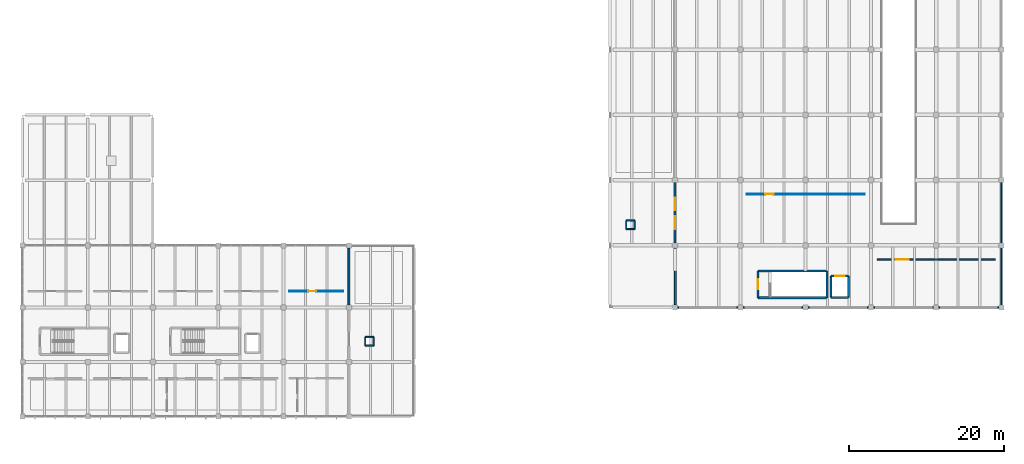
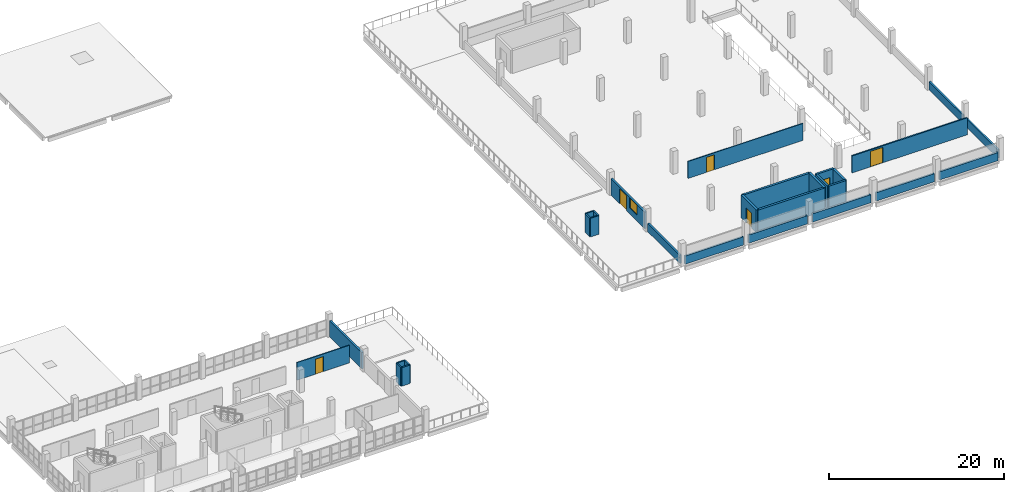
# One storey, part 27 of 33: 29 walls, 6 doors, 1 window, 7 openings.
"""IFC4 building model written with IfcOpenShell, lengths in metres."""

from ifc_helpers import new_model, si_unit, direction, frame, frame_2d, origin, place, context, subcontext, project, spatial, rectangle, extrude, material, layer, layer_set, type_object, element, fill, save


model = new_model("IFC4")

# Units and contexts
model_context = context("Model", 3, precision=1e-05, world=origin(), true_north=direction((0.0, 1.0)))
body_context = subcontext(model_context, "Body", "Model", "MODEL_VIEW")
ifc_project = project(units=[si_unit("LENGTHUNIT", "METRE"), si_unit("AREAUNIT", "SQUARE_METRE"), si_unit("VOLUMEUNIT", "CUBIC_METRE"), si_unit("PLANEANGLEUNIT", "RADIAN"), si_unit("MASSUNIT", "GRAM", prefix="KILO"), si_unit("THERMODYNAMICTEMPERATUREUNIT", "KELVIN"), si_unit("POWERUNIT", "WATT")], contexts=[model_context])

# Site, building, storey
site_placement = place(None, origin())
site = spatial("IfcSite", under=ifc_project, at=site_placement, CompositionType="ELEMENT")
building_placement = place(site_placement, origin())
building = spatial("IfcBuilding", under=site, at=building_placement, Name="Mavoryth Pier Ferry Terminal", CompositionType="ELEMENT")
storey_placement = place(building_placement, frame((0.0, 0.0, 13.1201171875)))
storey = spatial("IfcBuildingStorey", under=building, at=storey_placement, Name="L03", CompositionType="ELEMENT", Elevation=13.1201171875)

# Walls
ifc_material_1 = material(Name="Concrete C35/45", Category="concrete")
ifc_layer_1 = layer(ifc_material_1, 0.260009765625, Name="Concrete C35/45", Category="concrete")
ifc_layer_set_1 = layer_set([ifc_layer_1], Name="Concrete C35/45 - CoreWall-LiftShaft-RC260")
wall_type_1 = type_object("IfcWallType", Name="CoreWall-LiftShaft-RC260", PredefinedType="SHEAR", material=ifc_layer_set_1)
wall_1_placement = place(storey_placement, frame((146.070068359375, 15.320068359375, 0.0), z_axis=(0.0, 0.0, 1.0), x_axis=(1.0, 0.0, 0.0)))
element("IfcWall", 1, at=wall_1_placement, inside=storey, type_object=wall_type_1, Name="Interior Wall IW-L03-0185", PredefinedType="SHEAR", context=body_context, shape_type="SweptSolid", body=[
    extrude(rectangle(XDim=2.260009765625, YDim=0.260009765625, at=frame_2d((1.1298828125, 0.0))), origin(), (0.0, 0.0, 1.0), 3.199951171875),
])
for number, where, z_axis, x_axis, name in (
    (2, (148.330078125, 15.320068359375, 0.0), (0.0, 0.0, 1.0), (0.0, 1.0, 0.0), "Interior Wall IW-L03-0186"),
    (3, (146.070068359375, 18.080078125, 0.0), (0.0, 0.0, 1.0), (0.0, -1.0, 0.0), "Interior Wall IW-L03-0187"),
):
    element("IfcWall", number, at=place(storey_placement, frame(where, z_axis=z_axis, x_axis=x_axis)), inside=storey, type_object=wall_type_1, Name=name, PredefinedType="SHEAR", context=body_context, shape_type="SweptSolid", body=[
        extrude(rectangle(XDim=2.760009765625, YDim=0.260009765625, at=frame_2d((1.3798828125, 0.0))), origin(), (0.0, 0.0, 1.0), 3.199951171875),
    ])

# Wall, opening, door
wall_2_placement = place(storey_placement, frame((146.070068359375, 18.080078125, 0.0), z_axis=(0.0, 0.0, 1.0), x_axis=(1.0, 0.0, 0.0)))
wall_2 = element("IfcWall", 4, at=wall_2_placement, inside=storey, type_object=wall_type_1, Name="Interior Wall IW-L03-0188", PredefinedType="SHEAR", context=body_context, shape_type="SweptSolid", body=[
    extrude(rectangle(XDim=2.260009765625, YDim=0.260009765625, at=frame_2d((1.1298828125, 0.0))), origin(), (0.0, 0.0, 1.0), 3.199951171875),
])
opening_1_placement = place(wall_2_placement, frame((0.510009765625, 0.0, 0.0)))
opening_1 = element("IfcOpeningElement", 5, at=opening_1_placement, cuts=wall_2, Name="Opening LD01", PredefinedType="OPENING", context=body_context, shape_type="SweptSolid", body=[
    extrude(rectangle(XDim=1.239990234375, YDim=2.139892578125, at=frame_2d((0.6201171875, 1.06982421875))), frame((0.0, 0.139892578125, 0.0), z_axis=(0.0, -1.0, 0.0), x_axis=(1.0, 0.0, 0.0)), (0.0, 0.0, 1.0), 0.280029296875),
])
ifc_material_2 = material(Name="Brushed Stainless Steel Lift Landing Door", Category="steel")
door_type_1 = type_object("IfcDoorType", Name="Door-LiftLanding-1240x2140", OperationType="NOTDEFINED", PredefinedType="DOOR", material=ifc_material_2)
door_1_placement = place(opening_1_placement, origin())
door_1 = element("IfcDoor", 6, at=door_1_placement, inside=storey, type_object=door_type_1, Name="Lift LF09 Landing Door L03", OperationType="DOUBLE_DOOR_SLIDING", OverallHeight=2.139892578125, OverallWidth=1.239990234375, PredefinedType="DOOR", context=body_context, shape_type="SweptSolid", body=[
    extrude(rectangle(XDim=1.239990234375, YDim=2.139892578125, at=frame_2d((0.6201171875, 1.06982421875))), frame((0.0, 0.02490234375, 0.0), z_axis=(0.0, -1.0, 0.0), x_axis=(1.0, 0.0, 0.0)), (0.0, 0.0, 1.0), 0.050048828125),
])
fill(opening_1, door_1)

# Walls
ifc_material_3 = material(Name="Concrete C40/50", Category="concrete")
ifc_layer_2 = layer(ifc_material_3, 0.280029296875, Name="Concrete C40/50", Category="concrete")
ifc_layer_set_2 = layer_set([ifc_layer_2], Name="Concrete C40/50 - CoreWall-Shear-RC280")
wall_type_2 = type_object("IfcWallType", Name="CoreWall-Shear-RC280", PredefinedType="SHEAR", material=ifc_layer_set_2)
for number, where, z_axis, x_axis, name in (
    (7, (136.659912109375, 15.260009765625, 0.0), (0.0, 0.0, 1.0), (1.0, 0.0, 0.0), "Interior Wall IW-L03-0169"),
    (8, (136.659912109375, 18.68994140625, 0.0), (0.0, 0.0, 1.0), (1.0, 0.0, 0.0), "Interior Wall IW-L03-0170"),
):
    element("IfcWall", number, at=place(storey_placement, frame(where, z_axis=z_axis, x_axis=x_axis)), inside=storey, type_object=wall_type_2, Name=name, PredefinedType="SHEAR", context=body_context, shape_type="SweptSolid", body=[
        extrude(rectangle(XDim=8.880126953125, YDim=0.280029296875, at=frame_2d((4.43994140625, 0.0))), origin(), (0.0, 0.0, 1.0), 3.199951171875),
    ])

# Wall, opening, door
wall_3_placement = place(storey_placement, frame((136.659912109375, 18.68994140625, 0.0), z_axis=(0.0, 0.0, 1.0), x_axis=(0.0, -1.0, 0.0)))
wall_3 = element("IfcWall", 9, at=wall_3_placement, inside=storey, type_object=wall_type_2, Name="Interior Wall IW-L03-0171", PredefinedType="SHEAR", context=body_context, shape_type="SweptSolid", body=[
    extrude(rectangle(XDim=3.429931640625, YDim=0.280029296875, at=frame_2d((1.71484375, 0.0))), origin(), (0.0, 0.0, 1.0), 3.199951171875),
])
opening_2_placement = place(wall_3_placement, frame((1.074951171875, 0.0, 0.0)))
opening_2 = element("IfcOpeningElement", 10, at=opening_2_placement, cuts=wall_3, Name="Opening ID03-043", PredefinedType="OPENING", context=body_context, shape_type="SweptSolid", body=[
    extrude(rectangle(XDim=1.280029296875, YDim=2.10009765625, at=frame_2d((0.64013671875, 1.050048828125))), frame((0.0, 0.14990234375, 0.0), z_axis=(0.0, -1.0, 0.0), x_axis=(1.0, 0.0, 0.0)), (0.0, 0.0, 1.0), 0.300048828125),
])
ifc_material_4 = material(Name="Painted Galvanised Steel Fire Door", Category="steel")
door_type_2 = type_object("IfcDoorType", Name="Door-StairFire-1280x2100", OperationType="NOTDEFINED", PredefinedType="DOOR", material=ifc_material_4)
door_2_placement = place(opening_2_placement, origin())
door_2 = element("IfcDoor", 11, at=door_2_placement, inside=storey, type_object=door_type_2, Name="Core C4B Stair Exit Door L03", OperationType="SINGLE_SWING_RIGHT", OverallHeight=2.10009765625, OverallWidth=1.280029296875, PredefinedType="DOOR", context=body_context, shape_type="SweptSolid", body=[
    extrude(rectangle(XDim=1.280029296875, YDim=2.10009765625, at=frame_2d((0.64013671875, 1.050048828125))), frame((0.0, 0.02490234375, 0.0), z_axis=(0.0, -1.0, 0.0), x_axis=(1.0, 0.0, 0.0)), (0.0, 0.0, 1.0), 0.050048828125),
])
fill(opening_2, door_2)

# Walls
wall_4_placement = place(storey_placement, frame((145.5400390625, 15.260009765625, 0.0), z_axis=(0.0, 0.0, 1.0), x_axis=(0.0, 1.0, 0.0)))
element("IfcWall", 12, at=wall_4_placement, inside=storey, type_object=wall_type_2, Name="Interior Wall IW-L03-0172", PredefinedType="SHEAR", context=body_context, shape_type="SweptSolid", body=[
    extrude(rectangle(XDim=3.429931640625, YDim=0.280029296875, at=frame_2d((1.71484375, 0.0))), origin(), (0.0, 0.0, 1.0), 3.199951171875),
])
ifc_layer_3 = layer(ifc_material_3, 0.22998046875, Name="Concrete C40/50", Category="concrete")
ifc_layer_set_3 = layer_set([ifc_layer_3], Name="Concrete C40/50 - ExtWall-CrashUpstand-230")
wall_type_3 = type_object("IfcWallType", Name="ExtWall-CrashUpstand-230", PredefinedType="PARAPET", material=ifc_layer_set_3)
for number, where, z_axis, x_axis, name in (
    (13, (126.324951171875, 14.0, 0.0), (0.0, 0.0, 1.0), (1.0, 0.0, 0.0), "Exterior Wall EW-L03-118"),
    (14, (134.72509765625, 14.0, 0.0), (0.0, 0.0, 1.0), (1.0, 0.0, 0.0), "Exterior Wall EW-L03-120"),
    (15, (143.125, 14.0, 0.0), (0.0, 0.0, 1.0), (1.0, 0.0, 0.0), "Exterior Wall EW-L03-122"),
    (16, (151.52490234375, 14.0, 0.0), (0.0, 0.0, 1.0), (1.0, 0.0, 0.0), "Exterior Wall EW-L03-124"),
    (17, (159.925048828125, 14.0, 0.0), (0.0, 0.0, 1.0), (1.0, 0.0, 0.0), "Exterior Wall EW-L03-126"),
):
    element("IfcWall", number, at=place(storey_placement, frame(where, z_axis=z_axis, x_axis=x_axis)), inside=storey, type_object=wall_type_3, Name=name, PredefinedType="PARAPET", context=body_context, shape_type="SweptSolid", body=[
        extrude(rectangle(XDim=7.75, YDim=0.22998046875, at=frame_2d((3.875, 0.0))), origin(), (0.0, 0.0, 1.0), 1.14990234375),
    ])
for number, where, z_axis, x_axis, name in (
    (18, (126.0, 14.324951171875, 0.0), (0.0, 0.0, 1.0), (0.0, 1.0, 0.0), "Exterior Wall EW-L03-128"),
    (19, (168.0, 14.324951171875, 0.0), (0.0, 0.0, 1.0), (0.0, 1.0, 0.0), "Exterior Wall EW-L03-129"),
):
    element("IfcWall", number, at=place(storey_placement, frame(where, z_axis=z_axis, x_axis=x_axis)), inside=storey, type_object=wall_type_3, Name=name, PredefinedType="PARAPET", context=body_context, shape_type="SweptSolid", body=[
        extrude(rectangle(XDim=7.35009765625, YDim=0.22998046875, at=frame_2d((3.675048828125, 0.0))), origin(), (0.0, 0.0, 1.0), 1.14990234375),
    ])
wall_5_placement = place(storey_placement, frame((168.0, 22.324951171875, 0.0), z_axis=(0.0, 0.0, 1.0), x_axis=(0.0, 1.0, 0.0)))
element("IfcWall", 20, at=wall_5_placement, inside=storey, type_object=wall_type_3, Name="Exterior Wall EW-L03-130", PredefinedType="PARAPET", context=body_context, shape_type="SweptSolid", body=[
    extrude(rectangle(XDim=7.75, YDim=0.22998046875, at=frame_2d((3.875, 0.0))), origin(), (0.0, 0.0, 1.0), 1.14990234375),
])

# Wall, openings, door, window
ifc_material_5 = material(Name="Insulated Pentelic Limestone-Faced Masonry", Category="masonry")
ifc_layer_4 = layer(ifc_material_5, 0.25, Name="Insulated Pentelic Limestone-Faced Masonry", Category="masonry")
ifc_layer_set_4 = layer_set([ifc_layer_4], Name="Insulated Pentelic Limestone-Faced Masonry - ExtWall-Facade-Masonry250")
wall_type_4 = type_object("IfcWallType", Name="ExtWall-Facade-Masonry250", PredefinedType="SOLIDWALL", material=ifc_layer_set_4)
wall_6_placement = place(storey_placement, frame((126.0, 30.074951171875, 0.0), z_axis=(0.0, 0.0, 1.0), x_axis=(0.0, -1.0, 0.0)))
wall_6 = element("IfcWall", 21, at=wall_6_placement, inside=storey, type_object=wall_type_4, Name="Exterior Wall EW-L03-064", PredefinedType="SOLIDWALL", context=body_context, shape_type="SweptSolid", body=[
    extrude(rectangle(XDim=7.75, YDim=0.25, at=frame_2d((3.875, 0.0))), origin(), (0.0, 0.0, 1.0), 2.324951171875),
])
opening_3_placement = place(wall_6_placement, frame((1.965087890625, 0.0, 0.0)))
opening_3 = element("IfcOpeningElement", 22, at=opening_3_placement, cuts=wall_6, Name="Opening ED07-028", PredefinedType="OPENING", context=body_context, shape_type="SweptSolid", body=[
    extrude(rectangle(XDim=1.60009765625, YDim=2.10009765625, at=frame_2d((0.800048828125, 1.050048828125))), frame((0.0, 0.135009765625, 0.0), z_axis=(0.0, -1.0, 0.0), x_axis=(1.0, 0.0, 0.0)), (0.0, 0.0, 1.0), 0.27001953125),
])
opening_4_placement = place(wall_6_placement, frame((4.31494140625, 0.0, 0.85009765625)))
opening_4 = element("IfcOpeningElement", 23, at=opening_4_placement, cuts=wall_6, Name="Opening WN18", PredefinedType="OPENING", context=body_context, shape_type="SweptSolid", body=[
    extrude(rectangle(XDim=1.64990234375, YDim=1.39990234375, at=frame_2d((0.824951171875, 0.699951171875))), frame((0.0, 0.135009765625, 0.0), z_axis=(0.0, -1.0, 0.0), x_axis=(1.0, 0.0, 0.0)), (0.0, 0.0, 1.0), 0.27001953125),
])
ifc_material_6 = material(Name="Thermally Broken Anodised Aluminium and Laminated Glass", Category="aluminium")
door_type_3 = type_object("IfcDoorType", Name="ExtDoor-Terrace-1600x2100", OperationType="NOTDEFINED", PredefinedType="DOOR", material=ifc_material_6)
door_3_placement = place(opening_3_placement, origin())
door_3 = element("IfcDoor", 24, at=door_3_placement, inside=storey, type_object=door_type_3, Name="Exterior Pedestrian Exit Door ED07-028", OperationType="SINGLE_SWING_RIGHT", OverallHeight=2.10009765625, OverallWidth=1.60009765625, PredefinedType="DOOR", context=body_context, shape_type="SweptSolid", body=[
    extrude(rectangle(XDim=1.60009765625, YDim=2.10009765625, at=frame_2d((0.800048828125, 1.050048828125))), frame((0.0, 0.02490234375, 0.0), z_axis=(0.0, -1.0, 0.0), x_axis=(1.0, 0.0, 0.0)), (0.0, 0.0, 1.0), 0.050048828125),
])
fill(opening_3, door_3)
ifc_material_7 = material(Name="Thermally Broken Aluminium and Low-E Double Glazing", Category="aluminium")
window_type = type_object("IfcWindowType", Name="Win-Drivers-1650x1400", PartitioningType="DOUBLE_PANEL_VERTICAL", PredefinedType="WINDOW", material=ifc_material_7)
window_placement = place(opening_4_placement, origin())
window = element("IfcWindow", 25, at=window_placement, inside=storey, type_object=window_type, Name="Exterior Window 48", OverallHeight=1.39990234375, OverallWidth=1.64990234375, PartitioningType="DOUBLE_PANEL_VERTICAL", PredefinedType="WINDOW", context=body_context, shape_type="SweptSolid", body=[
    extrude(rectangle(XDim=1.64990234375, YDim=1.39990234375, at=frame_2d((0.824951171875, 0.699951171875))), frame((0.0, 0.030029296875, 0.0), z_axis=(0.0, -1.0, 0.0), x_axis=(1.0, 0.0, 0.0)), (0.0, 0.0, 1.0), 0.06005859375),
])
fill(opening_4, window)

# Walls
wall_7_placement = place(storey_placement, frame((84.0, 14.324951171875, 0.0), z_axis=(0.0, 0.0, 1.0), x_axis=(0.0, 1.0, 0.0)))
element("IfcWall", 26, at=wall_7_placement, inside=storey, type_object=wall_type_4, Name="Exterior Wall EW-L03-177", PredefinedType="SOLIDWALL", context=body_context, shape_type="SweptSolid", body=[
    extrude(rectangle(XDim=7.35009765625, YDim=0.25, at=frame_2d((3.675048828125, 0.0))), origin(), (0.0, 0.0, 1.0), 2.27490234375),
])
ifc_material_8 = material(Name="Autoclaved Aerated Concrete Blockwork", Category="masonry")
ifc_layer_5 = layer(ifc_material_8, 0.179931640625, Name="Autoclaved Aerated Concrete Blockwork", Category="masonry")
ifc_layer_set_5 = layer_set([ifc_layer_5], Name="Autoclaved Aerated Concrete Blockwork - IntWall-PlantRated-180")
wall_type_5 = type_object("IfcWallType", Name="IntWall-PlantRated-180", PredefinedType="SOLIDWALL", material=ifc_layer_set_5)
wall_8_placement = place(storey_placement, frame((119.7099609375, 24.110107421875, 0.0), z_axis=(0.0, 0.0, 1.0), x_axis=(1.0, 0.0, 0.0)))
element("IfcWall", 27, at=wall_8_placement, inside=storey, type_object=wall_type_5, Name="Interior Wall IW-L03-0397", PredefinedType="SOLIDWALL", context=body_context, shape_type="SweptSolid", body=[
    extrude(rectangle(XDim=1.080078125, YDim=0.179931640625, at=frame_2d((0.5400390625, 0.0))), origin(), (0.0, 0.0, 1.0), 2.599853515625),
])
wall_9_placement = place(storey_placement, frame((120.7900390625, 24.110107421875, 0.0), z_axis=(0.0, 0.0, 1.0), x_axis=(0.0, 1.0, 0.0)))
element("IfcWall", 28, at=wall_9_placement, inside=storey, type_object=wall_type_5, Name="Interior Wall IW-L03-0398", PredefinedType="SOLIDWALL", context=body_context, shape_type="SweptSolid", body=[
    extrude(rectangle(XDim=1.079833984375, YDim=0.179931640625, at=frame_2d((0.5400390625, 0.0))), origin(), (0.0, 0.0, 1.0), 2.599853515625),
])
wall_10_placement = place(storey_placement, frame((120.7900390625, 25.18994140625, 0.0), z_axis=(0.0, 0.0, 1.0), x_axis=(-1.0, 0.0, 0.0)))
element("IfcWall", 29, at=wall_10_placement, inside=storey, type_object=wall_type_5, Name="Interior Wall IW-L03-0399", PredefinedType="SOLIDWALL", context=body_context, shape_type="SweptSolid", body=[
    extrude(rectangle(XDim=1.080078125, YDim=0.179931640625, at=frame_2d((0.5400390625, 0.0))), origin(), (0.0, 0.0, 1.0), 2.599853515625),
])
for number, where, z_axis, x_axis, name in (
    (30, (119.7099609375, 25.18994140625, 0.0), (0.0, 0.0, 1.0), (0.0, -1.0, 0.0), "Interior Wall IW-L03-0400"),
    (31, (86.110107421875, 9.110107421875, 0.0), (0.0, 0.0, 1.0), (1.0, 0.0, 0.0), "Interior Wall IW-L03-0405"),
    (32, (87.18994140625, 9.110107421875, 0.0), (0.0, 0.0, 1.0), (0.0, 1.0, 0.0), "Interior Wall IW-L03-0406"),
    (33, (87.18994140625, 10.18994140625, 0.0), (0.0, 0.0, 1.0), (-1.0, 0.0, 0.0), "Interior Wall IW-L03-0407"),
    (34, (86.110107421875, 10.18994140625, 0.0), (0.0, 0.0, 1.0), (0.0, -1.0, 0.0), "Interior Wall IW-L03-0408"),
):
    element("IfcWall", number, at=place(storey_placement, frame(where, z_axis=z_axis, x_axis=x_axis)), inside=storey, type_object=wall_type_5, Name=name, PredefinedType="SOLIDWALL", context=body_context, shape_type="SweptSolid", body=[
        extrude(rectangle(XDim=1.079833984375, YDim=0.179931640625, at=frame_2d((0.5400390625, 0.0))), origin(), (0.0, 0.0, 1.0), 2.599853515625),
    ])

# Wall, opening, door
wall_11_placement = place(storey_placement, frame((152.0, 20.199951171875, 0.0), z_axis=(0.0, 0.0, 1.0), x_axis=(1.0, 0.0, 0.0)))
wall_11 = element("IfcWall", 35, at=wall_11_placement, inside=storey, type_object=wall_type_5, Name="Interior Wall IW-L03-0437", PredefinedType="SOLIDWALL", context=body_context, shape_type="SweptSolid", body=[
    extrude(rectangle(XDim=15.199951171875, YDim=0.179931640625, at=frame_2d((7.60009765625, 0.0))), origin(), (0.0, 0.0, 1.0), 2.375),
])
opening_5_placement = place(wall_11_placement, frame((2.39990234375, 0.0, 0.0)))
opening_5 = element("IfcOpeningElement", 36, at=opening_5_placement, cuts=wall_11, Name="Opening ID13-106", PredefinedType="OPENING", context=body_context, shape_type="SweptSolid", body=[
    extrude(rectangle(XDim=1.639892578125, YDim=2.159912109375, at=frame_2d((0.81982421875, 1.080078125))), frame((0.0, 0.099853515625, 0.0), z_axis=(0.0, -1.0, 0.0), x_axis=(1.0, 0.0, 0.0)), (0.0, 0.0, 1.0), 0.199951171875),
])
ifc_material_9 = material(Name="Louvred Acoustic Steel Plant Door", Category="steel")
door_type_4 = type_object("IfcDoorType", Name="Door-PlantDouble-1640x2160", OperationType="NOTDEFINED", PredefinedType="DOOR", material=ifc_material_9)
door_4_placement = place(opening_5_placement, origin())
door_4 = element("IfcDoor", 37, at=door_4_placement, inside=storey, type_object=door_type_4, Name="Interior Door ID13-106", OperationType="DOUBLE_DOOR_SINGLE_SWING", OverallHeight=2.159912109375, OverallWidth=1.639892578125, PredefinedType="DOOR", context=body_context, shape_type="SweptSolid", body=[
    extrude(rectangle(XDim=1.639892578125, YDim=2.159912109375, at=frame_2d((0.81982421875, 1.080078125))), frame((0.0, 0.02490234375, 0.0), z_axis=(0.0, -1.0, 0.0), x_axis=(1.0, 0.0, 0.0)), (0.0, 0.0, 1.0), 0.050048828125),
])
fill(opening_5, door_4)

ifc_material_10 = material(Name="Moisture-Resistant Cement-Board Partition")
ifc_layer_6 = layer(ifc_material_10, 0.10009765625, Name="Moisture-Resistant Cement-Board Partition")
ifc_layer_set_6 = layer_set([ifc_layer_6], Name="Moisture-Resistant Cement-Board Partition - Part-WetArea-100")
wall_type_6 = type_object("IfcWallType", Name="Part-WetArea-100", PredefinedType="PARTITIONING", material=ifc_layer_set_6)
wall_12_placement = place(storey_placement, frame((135.199951171875, 28.60009765625, 0.0), z_axis=(0.0, 0.0, 1.0), x_axis=(1.0, 0.0, 0.0)))
wall_12 = element("IfcWall", 38, at=wall_12_placement, inside=storey, type_object=wall_type_6, Name="Interior Wall IW-L03-0438", PredefinedType="PARTITIONING", context=body_context, shape_type="SweptSolid", body=[
    extrude(rectangle(XDim=15.199951171875, YDim=0.10009765625, at=frame_2d((7.60009765625, 0.0))), origin(), (0.0, 0.0, 1.0), 2.375),
])
opening_6_placement = place(wall_12_placement, frame((2.39990234375, 0.0, 0.0)))
opening_6 = element("IfcOpeningElement", 39, at=opening_6_placement, cuts=wall_12, Name="Opening ID11-107", PredefinedType="OPENING", context=body_context, shape_type="SweptSolid", body=[
    extrude(rectangle(XDim=1.06005859375, YDim=2.10009765625, at=frame_2d((0.530029296875, 1.050048828125))), frame((0.0, 0.06005859375, 0.0), z_axis=(0.0, -1.0, 0.0), x_axis=(1.0, 0.0, 0.0)), (0.0, 0.0, 1.0), 0.1201171875),
])
ifc_material_11 = material(Name="High-Pressure Laminate Accessible Door")
door_type_5 = type_object("IfcDoorType", Name="Door-AccessibleWC-1060x2100", OperationType="NOTDEFINED", PredefinedType="DOOR", material=ifc_material_11)
door_5_placement = place(opening_6_placement, origin())
door_5 = element("IfcDoor", 40, at=door_5_placement, inside=storey, type_object=door_type_5, Name="L03 Roof Garden Accessible WC Door", OperationType="SINGLE_SWING_LEFT", OverallHeight=2.10009765625, OverallWidth=1.06005859375, PredefinedType="DOOR", context=body_context, shape_type="SweptSolid", body=[
    extrude(rectangle(XDim=1.06005859375, YDim=2.10009765625, at=frame_2d((0.530029296875, 1.050048828125))), frame((0.0, 0.02490234375, 0.0), z_axis=(0.0, -1.0, 0.0), x_axis=(1.0, 0.0, 0.0)), (0.0, 0.0, 1.0), 0.050048828125),
])
fill(opening_6, door_5)

wall_13_placement = place(storey_placement, frame((76.35009765625, 16.10009765625, 0.0), z_axis=(0.0, 0.0, 1.0), x_axis=(1.0, 0.0, 0.0)))
wall_13 = element("IfcWall", 41, at=wall_13_placement, inside=storey, type_object=wall_type_6, Name="Interior Wall IW-L03-0494", PredefinedType="PARTITIONING", context=body_context, shape_type="SweptSolid", body=[
    extrude(rectangle(XDim=6.89990234375, YDim=0.10009765625, at=frame_2d((3.449951171875, 0.0))), origin(), (0.0, 0.0, 1.0), 2.474853515625),
])
opening_7_placement = place(wall_13_placement, frame((2.39990234375, 0.0, 0.0)))
opening_7 = element("IfcOpeningElement", 42, at=opening_7_placement, cuts=wall_13, Name="Opening ID11-163", PredefinedType="OPENING", context=body_context, shape_type="SweptSolid", body=[
    extrude(rectangle(XDim=1.06005859375, YDim=2.10009765625, at=frame_2d((0.530029296875, 1.050048828125))), frame((0.0, 0.06005859375, 0.0), z_axis=(0.0, -1.0, 0.0), x_axis=(1.0, 0.0, 0.0)), (0.0, 0.0, 1.0), 0.1201171875),
])
door_6_placement = place(opening_7_placement, origin())
door_6 = element("IfcDoor", 43, at=door_6_placement, inside=storey, type_object=door_type_5, Name="Interior Door ID11-163", OperationType="SINGLE_SWING_RIGHT", OverallHeight=2.10009765625, OverallWidth=1.06005859375, PredefinedType="DOOR", context=body_context, shape_type="SweptSolid", body=[
    extrude(rectangle(XDim=1.06005859375, YDim=2.10009765625, at=frame_2d((0.530029296875, 1.050048828125))), frame((0.0, 0.02490234375, 0.0), z_axis=(0.0, -1.0, 0.0), x_axis=(1.0, 0.0, 0.0)), (0.0, 0.0, 1.0), 0.050048828125),
])
fill(opening_7, door_6)

save(model, "model.ifc")
